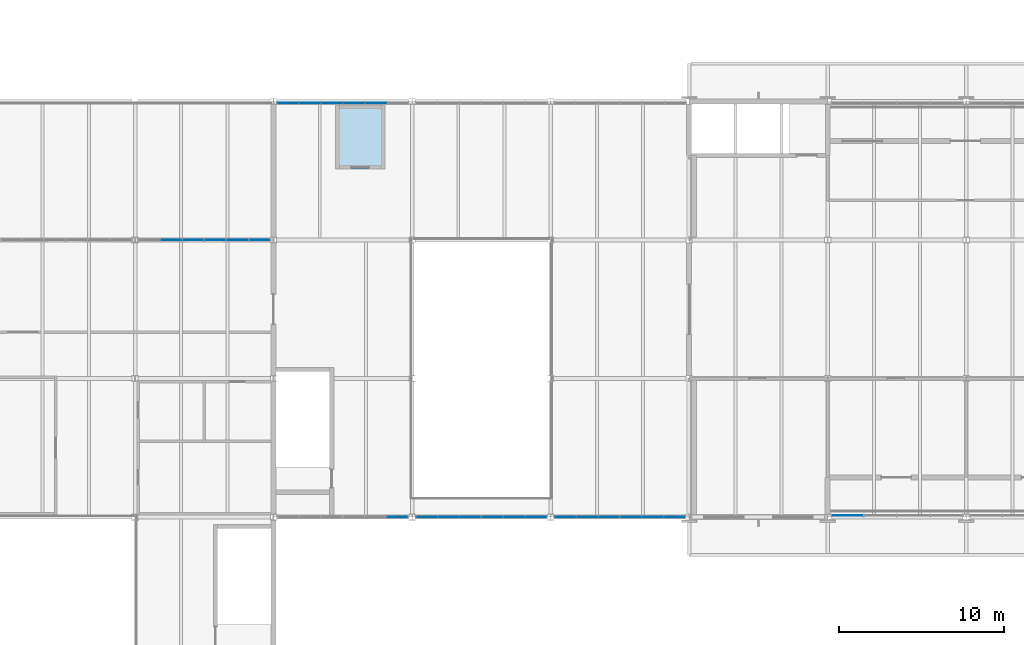
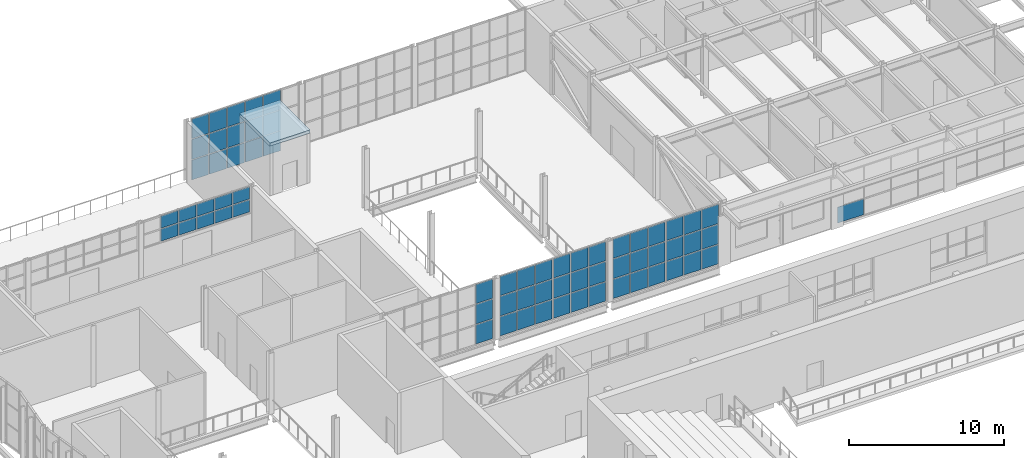
# One storey, part 62 of 116: 65 plates, 1 slab, 8 elements without a shape of their own.
"""IFC4 building model written with IfcOpenShell, lengths in metres."""

from ifc_helpers import new_model, si_unit, direction, frame, origin, origin_2d, place, context, subcontext, project, spatial, polyline, rectangle, outline, extrude, material, layer, layer_set, type_object, element, aggregate, save


model = new_model("IFC4")

# Units and contexts
model_context = context("Model", 3, precision=1e-05, world=origin(), true_north=direction((0.0, 1.0)))
body_context = subcontext(model_context, "Body", "Model", "MODEL_VIEW")
ifc_project = project(units=[si_unit("LENGTHUNIT", "METRE"), si_unit("AREAUNIT", "SQUARE_METRE"), si_unit("VOLUMEUNIT", "CUBIC_METRE"), si_unit("PLANEANGLEUNIT", "RADIAN"), si_unit("MASSUNIT", "GRAM", prefix="KILO")], contexts=[model_context])

# Site, building, storey
site_placement = place(None, origin())
site = spatial("IfcSite", under=ifc_project, at=site_placement, CompositionType="ELEMENT")
building_placement = place(site_placement, origin())
building = spatial("IfcBuilding", under=site, at=building_placement, Name="Ljudholm Concert House", CompositionType="ELEMENT")
storey_placement = place(building_placement, frame((0.0, 0.0, 10.199951171875)))
storey = spatial("IfcBuildingStorey", under=building, at=storey_placement, Name="L02", CompositionType="ELEMENT", Elevation=10.199951171875)

# Curtain wall, plates
ifc_material_1 = material(Name="Aluminium curtain wall with impact-rated laminated glass", Category="aluminium")
curtain_wall_type_1 = type_object("IfcCurtainWallType", Name="CURTAIN WALL 1400", PredefinedType="NOTDEFINED", material=ifc_material_1)
curtain_wall_1_placement = place(storey_placement, origin())
curtain_wall_1 = element("IfcCurtainWall", 1, at=curtain_wall_1_placement, inside=storey, type_object=curtain_wall_type_1, Name="Terrace curtain wall", PredefinedType="NOTDEFINED")
ifc_material_2 = material(Name="Impact-rated laminated glass", Category="glass")
ifc_layer_1 = layer(ifc_material_2, 0.028076171875)
ifc_layer_set_1 = layer_set([ifc_layer_1], Name="Impact-rated laminated glass")
plate_type_1 = type_object("IfcPlateType", Name="CURTAIN PANEL 28", PredefinedType="CURTAIN_PANEL", material=ifc_layer_set_1)
plate_1_placement = place(storey_placement, frame((22.989013671875, 121.60009765625, 2.760009765625), z_axis=(0.0, 0.0, 1.0), x_axis=(1.0, 0.0, 0.0)))
plate_1 = element("IfcPlate", 2, at=plate_1_placement, type_object=plate_type_1, Name="Curtain wall panel", PredefinedType="CURTAIN_PANEL", context=body_context, shape_type="SweptSolid", body=[
    extrude(rectangle(XDim=1.28076171875, YDim=0.028076171875, at=origin_2d()), origin(), (0.0, 0.0, 1.0), 0.9599609375),
])
plate_2_placement = place(storey_placement, frame((22.989013671875, 121.60009765625, 3.780029296875), z_axis=(0.0, 0.0, 1.0), x_axis=(1.0, 0.0, 0.0)))
plate_2 = element("IfcPlate", 3, at=plate_2_placement, type_object=plate_type_1, Name="Curtain wall panel", PredefinedType="CURTAIN_PANEL", context=body_context, shape_type="SweptSolid", body=[
    extrude(rectangle(XDim=1.28076171875, YDim=0.028076171875, at=origin_2d()), origin(), (0.0, 0.0, 1.0), 0.9599609375),
])
plate_3_placement = place(storey_placement, frame((24.32958984375, 121.60009765625, 2.760009765625), z_axis=(0.0, 0.0, 1.0), x_axis=(1.0, 0.0, 0.0)))
plate_3 = element("IfcPlate", 4, at=plate_3_placement, type_object=plate_type_1, Name="Curtain wall panel", PredefinedType="CURTAIN_PANEL", context=body_context, shape_type="SweptSolid", body=[
    extrude(rectangle(XDim=1.28076171875, YDim=0.028076171875, at=origin_2d()), origin(), (0.0, 0.0, 1.0), 0.9599609375),
])
plate_4_placement = place(storey_placement, frame((24.32958984375, 121.60009765625, 3.780029296875), z_axis=(0.0, 0.0, 1.0), x_axis=(1.0, 0.0, 0.0)))
plate_4 = element("IfcPlate", 5, at=plate_4_placement, type_object=plate_type_1, Name="Curtain wall panel", PredefinedType="CURTAIN_PANEL", context=body_context, shape_type="SweptSolid", body=[
    extrude(rectangle(XDim=1.28076171875, YDim=0.028076171875, at=origin_2d()), origin(), (0.0, 0.0, 1.0), 0.9599609375),
])
plate_5_placement = place(storey_placement, frame((25.67041015625, 121.60009765625, 2.760009765625), z_axis=(0.0, 0.0, 1.0), x_axis=(1.0, 0.0, 0.0)))
plate_5 = element("IfcPlate", 6, at=plate_5_placement, type_object=plate_type_1, Name="Curtain wall panel", PredefinedType="CURTAIN_PANEL", context=body_context, shape_type="SweptSolid", body=[
    extrude(rectangle(XDim=1.28076171875, YDim=0.028076171875, at=origin_2d()), origin(), (0.0, 0.0, 1.0), 0.9599609375),
])
plate_6_placement = place(storey_placement, frame((25.67041015625, 121.60009765625, 3.780029296875), z_axis=(0.0, 0.0, 1.0), x_axis=(1.0, 0.0, 0.0)))
plate_6 = element("IfcPlate", 7, at=plate_6_placement, type_object=plate_type_1, Name="Curtain wall panel", PredefinedType="CURTAIN_PANEL", context=body_context, shape_type="SweptSolid", body=[
    extrude(rectangle(XDim=1.28076171875, YDim=0.028076171875, at=origin_2d()), origin(), (0.0, 0.0, 1.0), 0.9599609375),
])
plate_7_placement = place(storey_placement, frame((27.010986328125, 121.60009765625, 2.760009765625), z_axis=(0.0, 0.0, 1.0), x_axis=(1.0, 0.0, 0.0)))
plate_7 = element("IfcPlate", 8, at=plate_7_placement, type_object=plate_type_1, Name="Curtain wall panel", PredefinedType="CURTAIN_PANEL", context=body_context, shape_type="SweptSolid", body=[
    extrude(rectangle(XDim=1.28076171875, YDim=0.028076171875, at=origin_2d()), origin(), (0.0, 0.0, 1.0), 0.9599609375),
])
plate_8_placement = place(storey_placement, frame((27.010986328125, 121.60009765625, 3.780029296875), z_axis=(0.0, 0.0, 1.0), x_axis=(1.0, 0.0, 0.0)))
plate_8 = element("IfcPlate", 9, at=plate_8_placement, type_object=plate_type_1, Name="Curtain wall panel", PredefinedType="CURTAIN_PANEL", context=body_context, shape_type="SweptSolid", body=[
    extrude(rectangle(XDim=1.28076171875, YDim=0.028076171875, at=origin_2d()), origin(), (0.0, 0.0, 1.0), 0.9599609375),
])
plate_9_placement = place(storey_placement, frame((28.3369140625, 121.60009765625, 2.760009765625), z_axis=(0.0, 0.0, 1.0), x_axis=(1.0, 0.0, 0.0)))
plate_9 = element("IfcPlate", 10, at=plate_9_placement, type_object=plate_type_1, Name="Curtain wall panel", PredefinedType="CURTAIN_PANEL", context=body_context, shape_type="SweptSolid", body=[
    extrude(rectangle(XDim=1.250732421875, YDim=0.028076171875, at=origin_2d()), origin(), (0.0, 0.0, 1.0), 0.9599609375),
])
plate_10_placement = place(storey_placement, frame((28.3369140625, 121.60009765625, 3.780029296875), z_axis=(0.0, 0.0, 1.0), x_axis=(1.0, 0.0, 0.0)))
plate_10 = element("IfcPlate", 11, at=plate_10_placement, type_object=plate_type_1, Name="Curtain wall panel", PredefinedType="CURTAIN_PANEL", context=body_context, shape_type="SweptSolid", body=[
    extrude(rectangle(XDim=1.250732421875, YDim=0.028076171875, at=origin_2d()), origin(), (0.0, 0.0, 1.0), 0.9599609375),
])
aggregate(curtain_wall_1, [plate_1, plate_2, plate_3, plate_4, plate_5, plate_6, plate_7, plate_8, plate_9, plate_10])

curtain_wall_2_placement = place(storey_placement, origin())
curtain_wall_2 = element("IfcCurtainWall", 12, at=curtain_wall_2_placement, inside=storey, type_object=curtain_wall_type_1, Name="North curtain wall", PredefinedType="NOTDEFINED")
plate_11_placement = place(storey_placement, frame((30.0732421875, 129.89990234375, 0.06005859375), z_axis=(0.0, 0.0, 1.0), x_axis=(1.0, 0.0, 0.0)))
plate_11 = element("IfcPlate", 13, at=plate_11_placement, type_object=plate_type_1, Name="Curtain wall panel", PredefinedType="CURTAIN_PANEL", context=body_context, shape_type="SweptSolid", body=[
    extrude(rectangle(XDim=1.24658203125, YDim=0.028076171875, at=origin_2d()), origin(), (0.0, 0.0, 1.0), 1.547119140625),
])
plate_12_placement = place(storey_placement, frame((30.0732421875, 129.89990234375, 1.6669921875), z_axis=(0.0, 0.0, 1.0), x_axis=(1.0, 0.0, 0.0)))
plate_12 = element("IfcPlate", 14, at=plate_12_placement, type_object=plate_type_1, Name="Curtain wall panel", PredefinedType="CURTAIN_PANEL", context=body_context, shape_type="SweptSolid", body=[
    extrude(rectangle(XDim=1.24658203125, YDim=0.028076171875, at=origin_2d()), origin(), (0.0, 0.0, 1.0), 1.5771484375),
])
plate_13_placement = place(storey_placement, frame((30.0732421875, 129.89990234375, 3.30419921875), z_axis=(0.0, 0.0, 1.0), x_axis=(1.0, 0.0, 0.0)))
plate_13 = element("IfcPlate", 15, at=plate_13_placement, type_object=plate_type_1, Name="Curtain wall panel", PredefinedType="CURTAIN_PANEL", context=body_context, shape_type="SweptSolid", body=[
    extrude(rectangle(XDim=1.24658203125, YDim=0.028076171875, at=origin_2d()), origin(), (0.0, 0.0, 1.0), 1.547119140625),
])
plate_14_placement = place(storey_placement, frame((31.39501953125, 129.89990234375, 0.06005859375), z_axis=(0.0, 0.0, 1.0), x_axis=(1.0, 0.0, 0.0)))
plate_14 = element("IfcPlate", 16, at=plate_14_placement, type_object=plate_type_1, Name="Curtain wall panel", PredefinedType="CURTAIN_PANEL", context=body_context, shape_type="SweptSolid", body=[
    extrude(rectangle(XDim=1.276611328125, YDim=0.028076171875, at=origin_2d()), origin(), (0.0, 0.0, 1.0), 1.547119140625),
])
plate_15_placement = place(storey_placement, frame((31.39501953125, 129.89990234375, 1.6669921875), z_axis=(0.0, 0.0, 1.0), x_axis=(1.0, 0.0, 0.0)))
plate_15 = element("IfcPlate", 17, at=plate_15_placement, type_object=plate_type_1, Name="Curtain wall panel", PredefinedType="CURTAIN_PANEL", context=body_context, shape_type="SweptSolid", body=[
    extrude(rectangle(XDim=1.276611328125, YDim=0.028076171875, at=origin_2d()), origin(), (0.0, 0.0, 1.0), 1.5771484375),
])
plate_16_placement = place(storey_placement, frame((31.39501953125, 129.89990234375, 3.30419921875), z_axis=(0.0, 0.0, 1.0), x_axis=(1.0, 0.0, 0.0)))
plate_16 = element("IfcPlate", 18, at=plate_16_placement, type_object=plate_type_1, Name="Curtain wall panel", PredefinedType="CURTAIN_PANEL", context=body_context, shape_type="SweptSolid", body=[
    extrude(rectangle(XDim=1.276611328125, YDim=0.028076171875, at=origin_2d()), origin(), (0.0, 0.0, 1.0), 1.547119140625),
])
plate_17_placement = place(storey_placement, frame((32.731689453125, 129.89990234375, 0.06005859375), z_axis=(0.0, 0.0, 1.0), x_axis=(1.0, 0.0, 0.0)))
plate_17 = element("IfcPlate", 19, at=plate_17_placement, type_object=plate_type_1, Name="Curtain wall panel", PredefinedType="CURTAIN_PANEL", context=body_context, shape_type="SweptSolid", body=[
    extrude(rectangle(XDim=1.276611328125, YDim=0.028076171875, at=origin_2d()), origin(), (0.0, 0.0, 1.0), 1.547119140625),
])
plate_18_placement = place(storey_placement, frame((32.731689453125, 129.89990234375, 1.6669921875), z_axis=(0.0, 0.0, 1.0), x_axis=(1.0, 0.0, 0.0)))
plate_18 = element("IfcPlate", 20, at=plate_18_placement, type_object=plate_type_1, Name="Curtain wall panel", PredefinedType="CURTAIN_PANEL", context=body_context, shape_type="SweptSolid", body=[
    extrude(rectangle(XDim=1.276611328125, YDim=0.028076171875, at=origin_2d()), origin(), (0.0, 0.0, 1.0), 1.5771484375),
])
plate_19_placement = place(storey_placement, frame((32.731689453125, 129.89990234375, 3.30419921875), z_axis=(0.0, 0.0, 1.0), x_axis=(1.0, 0.0, 0.0)))
plate_19 = element("IfcPlate", 21, at=plate_19_placement, type_object=plate_type_1, Name="Curtain wall panel", PredefinedType="CURTAIN_PANEL", context=body_context, shape_type="SweptSolid", body=[
    extrude(rectangle(XDim=1.276611328125, YDim=0.028076171875, at=origin_2d()), origin(), (0.0, 0.0, 1.0), 1.547119140625),
])
plate_20_placement = place(storey_placement, frame((34.068359375, 129.89990234375, 0.06005859375), z_axis=(0.0, 0.0, 1.0), x_axis=(1.0, 0.0, 0.0)))
plate_20 = element("IfcPlate", 22, at=plate_20_placement, type_object=plate_type_1, Name="Curtain wall panel", PredefinedType="CURTAIN_PANEL", context=body_context, shape_type="SweptSolid", body=[
    extrude(rectangle(XDim=1.276611328125, YDim=0.028076171875, at=origin_2d()), origin(), (0.0, 0.0, 1.0), 1.547119140625),
])
plate_21_placement = place(storey_placement, frame((34.068359375, 129.89990234375, 1.6669921875), z_axis=(0.0, 0.0, 1.0), x_axis=(1.0, 0.0, 0.0)))
plate_21 = element("IfcPlate", 23, at=plate_21_placement, type_object=plate_type_1, Name="Curtain wall panel", PredefinedType="CURTAIN_PANEL", context=body_context, shape_type="SweptSolid", body=[
    extrude(rectangle(XDim=1.276611328125, YDim=0.028076171875, at=origin_2d()), origin(), (0.0, 0.0, 1.0), 1.5771484375),
])
plate_22_placement = place(storey_placement, frame((34.068359375, 129.89990234375, 3.30419921875), z_axis=(0.0, 0.0, 1.0), x_axis=(1.0, 0.0, 0.0)))
plate_22 = element("IfcPlate", 24, at=plate_22_placement, type_object=plate_type_1, Name="Curtain wall panel", PredefinedType="CURTAIN_PANEL", context=body_context, shape_type="SweptSolid", body=[
    extrude(rectangle(XDim=1.276611328125, YDim=0.028076171875, at=origin_2d()), origin(), (0.0, 0.0, 1.0), 1.547119140625),
])
plate_23_placement = place(storey_placement, frame((35.405029296875, 129.89990234375, 0.06005859375), z_axis=(0.0, 0.0, 1.0), x_axis=(1.0, 0.0, 0.0)))
plate_23 = element("IfcPlate", 25, at=plate_23_placement, type_object=plate_type_1, Name="Curtain wall panel", PredefinedType="CURTAIN_PANEL", context=body_context, shape_type="SweptSolid", body=[
    extrude(rectangle(XDim=1.276611328125, YDim=0.028076171875, at=origin_2d()), origin(), (0.0, 0.0, 1.0), 1.547119140625),
])
plate_24_placement = place(storey_placement, frame((35.405029296875, 129.89990234375, 1.6669921875), z_axis=(0.0, 0.0, 1.0), x_axis=(1.0, 0.0, 0.0)))
plate_24 = element("IfcPlate", 26, at=plate_24_placement, type_object=plate_type_1, Name="Curtain wall panel", PredefinedType="CURTAIN_PANEL", context=body_context, shape_type="SweptSolid", body=[
    extrude(rectangle(XDim=1.276611328125, YDim=0.028076171875, at=origin_2d()), origin(), (0.0, 0.0, 1.0), 1.5771484375),
])
plate_25_placement = place(storey_placement, frame((35.405029296875, 129.89990234375, 3.30419921875), z_axis=(0.0, 0.0, 1.0), x_axis=(1.0, 0.0, 0.0)))
plate_25 = element("IfcPlate", 27, at=plate_25_placement, type_object=plate_type_1, Name="Curtain wall panel", PredefinedType="CURTAIN_PANEL", context=body_context, shape_type="SweptSolid", body=[
    extrude(rectangle(XDim=1.276611328125, YDim=0.028076171875, at=origin_2d()), origin(), (0.0, 0.0, 1.0), 1.547119140625),
])
aggregate(curtain_wall_2, [plate_11, plate_12, plate_13, plate_14, plate_15, plate_16, plate_17, plate_18, plate_19, plate_20, plate_21, plate_22, plate_23, plate_24, plate_25])

curtain_wall_3_placement = place(storey_placement, origin())
curtain_wall_3 = element("IfcCurtainWall", 28, at=curtain_wall_3_placement, inside=storey, type_object=curtain_wall_type_1, Name="Winter garden curtain wall", PredefinedType="NOTDEFINED")
plate_26_placement = place(storey_placement, frame((36.70166015625, 104.800048828125, 0.06005859375), z_axis=(0.0, 0.0, 1.0), x_axis=(1.0, 0.0, 0.0)))
plate_26 = element("IfcPlate", 29, at=plate_26_placement, type_object=plate_type_1, Name="Curtain wall panel", PredefinedType="CURTAIN_PANEL", context=body_context, shape_type="SweptSolid", body=[
    extrude(rectangle(XDim=1.236572265625, YDim=0.028076171875, at=origin_2d()), origin(), (0.0, 0.0, 1.0), 1.510009765625),
])
plate_27_placement = place(storey_placement, frame((36.70166015625, 104.800048828125, 1.630126953125), z_axis=(0.0, 0.0, 1.0), x_axis=(1.0, 0.0, 0.0)))
plate_27 = element("IfcPlate", 30, at=plate_27_placement, type_object=plate_type_1, Name="Curtain wall panel", PredefinedType="CURTAIN_PANEL", context=body_context, shape_type="SweptSolid", body=[
    extrude(rectangle(XDim=1.236572265625, YDim=0.028076171875, at=origin_2d()), origin(), (0.0, 0.0, 1.0), 1.5400390625),
])
plate_28_placement = place(storey_placement, frame((36.70166015625, 104.800048828125, 3.22998046875), z_axis=(0.0, 0.0, 1.0), x_axis=(1.0, 0.0, 0.0)))
plate_28 = element("IfcPlate", 31, at=plate_28_placement, type_object=plate_type_1, Name="Curtain wall panel", PredefinedType="CURTAIN_PANEL", context=body_context, shape_type="SweptSolid", body=[
    extrude(rectangle(XDim=1.236572265625, YDim=0.028076171875, at=origin_2d()), origin(), (0.0, 0.0, 1.0), 1.510009765625),
])
aggregate(curtain_wall_3, [plate_26, plate_27, plate_28])

curtain_wall_4_placement = place(storey_placement, origin())
curtain_wall_4 = element("IfcCurtainWall", 32, at=curtain_wall_4_placement, inside=storey, type_object=curtain_wall_type_1, Name="Winter garden curtain wall", PredefinedType="NOTDEFINED")
plate_29_placement = place(storey_placement, frame((38.498291015625, 104.800048828125, 0.06005859375), z_axis=(0.0, 0.0, 1.0), x_axis=(1.0, 0.0, 0.0)))
plate_29 = element("IfcPlate", 33, at=plate_29_placement, type_object=plate_type_1, Name="Curtain wall panel", PredefinedType="CURTAIN_PANEL", context=body_context, shape_type="SweptSolid", body=[
    extrude(rectangle(XDim=1.236572265625, YDim=0.028076171875, at=origin_2d()), origin(), (0.0, 0.0, 1.0), 1.510009765625),
])
plate_30_placement = place(storey_placement, frame((38.498291015625, 104.800048828125, 1.630126953125), z_axis=(0.0, 0.0, 1.0), x_axis=(1.0, 0.0, 0.0)))
plate_30 = element("IfcPlate", 34, at=plate_30_placement, type_object=plate_type_1, Name="Curtain wall panel", PredefinedType="CURTAIN_PANEL", context=body_context, shape_type="SweptSolid", body=[
    extrude(rectangle(XDim=1.236572265625, YDim=0.028076171875, at=origin_2d()), origin(), (0.0, 0.0, 1.0), 1.5400390625),
])
plate_31_placement = place(storey_placement, frame((38.498291015625, 104.800048828125, 3.22998046875), z_axis=(0.0, 0.0, 1.0), x_axis=(1.0, 0.0, 0.0)))
plate_31 = element("IfcPlate", 35, at=plate_31_placement, type_object=plate_type_1, Name="Curtain wall panel", PredefinedType="CURTAIN_PANEL", context=body_context, shape_type="SweptSolid", body=[
    extrude(rectangle(XDim=1.236572265625, YDim=0.028076171875, at=origin_2d()), origin(), (0.0, 0.0, 1.0), 1.510009765625),
])
plate_32_placement = place(storey_placement, frame((39.81005859375, 104.800048828125, 0.06005859375), z_axis=(0.0, 0.0, 1.0), x_axis=(1.0, 0.0, 0.0)))
plate_32 = element("IfcPlate", 36, at=plate_32_placement, type_object=plate_type_1, Name="Curtain wall panel", PredefinedType="CURTAIN_PANEL", context=body_context, shape_type="SweptSolid", body=[
    extrude(rectangle(XDim=1.2666015625, YDim=0.028076171875, at=origin_2d()), origin(), (0.0, 0.0, 1.0), 1.510009765625),
])
plate_33_placement = place(storey_placement, frame((39.81005859375, 104.800048828125, 1.630126953125), z_axis=(0.0, 0.0, 1.0), x_axis=(1.0, 0.0, 0.0)))
plate_33 = element("IfcPlate", 37, at=plate_33_placement, type_object=plate_type_1, Name="Curtain wall panel", PredefinedType="CURTAIN_PANEL", context=body_context, shape_type="SweptSolid", body=[
    extrude(rectangle(XDim=1.2666015625, YDim=0.028076171875, at=origin_2d()), origin(), (0.0, 0.0, 1.0), 1.5400390625),
])
plate_34_placement = place(storey_placement, frame((39.81005859375, 104.800048828125, 3.22998046875), z_axis=(0.0, 0.0, 1.0), x_axis=(1.0, 0.0, 0.0)))
plate_34 = element("IfcPlate", 38, at=plate_34_placement, type_object=plate_type_1, Name="Curtain wall panel", PredefinedType="CURTAIN_PANEL", context=body_context, shape_type="SweptSolid", body=[
    extrude(rectangle(XDim=1.2666015625, YDim=0.028076171875, at=origin_2d()), origin(), (0.0, 0.0, 1.0), 1.510009765625),
])
plate_35_placement = place(storey_placement, frame((41.12158203125, 104.800048828125, 0.06005859375), z_axis=(0.0, 0.0, 1.0), x_axis=(1.0, 0.0, 0.0)))
plate_35 = element("IfcPlate", 39, at=plate_35_placement, type_object=plate_type_1, Name="Curtain wall panel", PredefinedType="CURTAIN_PANEL", context=body_context, shape_type="SweptSolid", body=[
    extrude(rectangle(XDim=1.236572265625, YDim=0.028076171875, at=origin_2d()), origin(), (0.0, 0.0, 1.0), 1.510009765625),
])
plate_36_placement = place(storey_placement, frame((41.12158203125, 104.800048828125, 1.630126953125), z_axis=(0.0, 0.0, 1.0), x_axis=(1.0, 0.0, 0.0)))
plate_36 = element("IfcPlate", 40, at=plate_36_placement, type_object=plate_type_1, Name="Curtain wall panel", PredefinedType="CURTAIN_PANEL", context=body_context, shape_type="SweptSolid", body=[
    extrude(rectangle(XDim=1.236572265625, YDim=0.028076171875, at=origin_2d()), origin(), (0.0, 0.0, 1.0), 1.5400390625),
])
plate_37_placement = place(storey_placement, frame((41.12158203125, 104.800048828125, 3.22998046875), z_axis=(0.0, 0.0, 1.0), x_axis=(1.0, 0.0, 0.0)))
plate_37 = element("IfcPlate", 41, at=plate_37_placement, type_object=plate_type_1, Name="Curtain wall panel", PredefinedType="CURTAIN_PANEL", context=body_context, shape_type="SweptSolid", body=[
    extrude(rectangle(XDim=1.236572265625, YDim=0.028076171875, at=origin_2d()), origin(), (0.0, 0.0, 1.0), 1.510009765625),
])
aggregate(curtain_wall_4, [plate_29, plate_30, plate_31, plate_32, plate_33, plate_34, plate_35, plate_36, plate_37])

curtain_wall_5_placement = place(storey_placement, origin())
curtain_wall_5 = element("IfcCurtainWall", 42, at=curtain_wall_5_placement, inside=storey, type_object=curtain_wall_type_1, Name="Winter garden curtain wall", PredefinedType="NOTDEFINED")
plate_38_placement = place(storey_placement, frame((42.478271484375, 104.800048828125, 0.06005859375), z_axis=(0.0, 0.0, 1.0), x_axis=(1.0, 0.0, 0.0)))
plate_38 = element("IfcPlate", 43, at=plate_38_placement, type_object=plate_type_1, Name="Curtain wall panel", PredefinedType="CURTAIN_PANEL", context=body_context, shape_type="SweptSolid", body=[
    extrude(rectangle(XDim=1.236572265625, YDim=0.028076171875, at=origin_2d()), origin(), (0.0, 0.0, 1.0), 1.510009765625),
])
plate_39_placement = place(storey_placement, frame((42.478271484375, 104.800048828125, 1.630126953125), z_axis=(0.0, 0.0, 1.0), x_axis=(1.0, 0.0, 0.0)))
plate_39 = element("IfcPlate", 44, at=plate_39_placement, type_object=plate_type_1, Name="Curtain wall panel", PredefinedType="CURTAIN_PANEL", context=body_context, shape_type="SweptSolid", body=[
    extrude(rectangle(XDim=1.236572265625, YDim=0.028076171875, at=origin_2d()), origin(), (0.0, 0.0, 1.0), 1.5400390625),
])
plate_40_placement = place(storey_placement, frame((42.478271484375, 104.800048828125, 3.22998046875), z_axis=(0.0, 0.0, 1.0), x_axis=(1.0, 0.0, 0.0)))
plate_40 = element("IfcPlate", 45, at=plate_40_placement, type_object=plate_type_1, Name="Curtain wall panel", PredefinedType="CURTAIN_PANEL", context=body_context, shape_type="SweptSolid", body=[
    extrude(rectangle(XDim=1.236572265625, YDim=0.028076171875, at=origin_2d()), origin(), (0.0, 0.0, 1.0), 1.510009765625),
])
plate_41_placement = place(storey_placement, frame((43.7900390625, 104.800048828125, 0.06005859375), z_axis=(0.0, 0.0, 1.0), x_axis=(1.0, 0.0, 0.0)))
plate_41 = element("IfcPlate", 46, at=plate_41_placement, type_object=plate_type_1, Name="Curtain wall panel", PredefinedType="CURTAIN_PANEL", context=body_context, shape_type="SweptSolid", body=[
    extrude(rectangle(XDim=1.2666015625, YDim=0.028076171875, at=origin_2d()), origin(), (0.0, 0.0, 1.0), 1.510009765625),
])
plate_42_placement = place(storey_placement, frame((43.7900390625, 104.800048828125, 1.630126953125), z_axis=(0.0, 0.0, 1.0), x_axis=(1.0, 0.0, 0.0)))
plate_42 = element("IfcPlate", 47, at=plate_42_placement, type_object=plate_type_1, Name="Curtain wall panel", PredefinedType="CURTAIN_PANEL", context=body_context, shape_type="SweptSolid", body=[
    extrude(rectangle(XDim=1.2666015625, YDim=0.028076171875, at=origin_2d()), origin(), (0.0, 0.0, 1.0), 1.5400390625),
])
plate_43_placement = place(storey_placement, frame((43.7900390625, 104.800048828125, 3.22998046875), z_axis=(0.0, 0.0, 1.0), x_axis=(1.0, 0.0, 0.0)))
plate_43 = element("IfcPlate", 48, at=plate_43_placement, type_object=plate_type_1, Name="Curtain wall panel", PredefinedType="CURTAIN_PANEL", context=body_context, shape_type="SweptSolid", body=[
    extrude(rectangle(XDim=1.2666015625, YDim=0.028076171875, at=origin_2d()), origin(), (0.0, 0.0, 1.0), 1.510009765625),
])
plate_44_placement = place(storey_placement, frame((45.1015625, 104.800048828125, 0.06005859375), z_axis=(0.0, 0.0, 1.0), x_axis=(1.0, 0.0, 0.0)))
plate_44 = element("IfcPlate", 49, at=plate_44_placement, type_object=plate_type_1, Name="Curtain wall panel", PredefinedType="CURTAIN_PANEL", context=body_context, shape_type="SweptSolid", body=[
    extrude(rectangle(XDim=1.236572265625, YDim=0.028076171875, at=origin_2d()), origin(), (0.0, 0.0, 1.0), 1.510009765625),
])
plate_45_placement = place(storey_placement, frame((45.1015625, 104.800048828125, 1.630126953125), z_axis=(0.0, 0.0, 1.0), x_axis=(1.0, 0.0, 0.0)))
plate_45 = element("IfcPlate", 50, at=plate_45_placement, type_object=plate_type_1, Name="Curtain wall panel", PredefinedType="CURTAIN_PANEL", context=body_context, shape_type="SweptSolid", body=[
    extrude(rectangle(XDim=1.236572265625, YDim=0.028076171875, at=origin_2d()), origin(), (0.0, 0.0, 1.0), 1.5400390625),
])
plate_46_placement = place(storey_placement, frame((45.1015625, 104.800048828125, 3.22998046875), z_axis=(0.0, 0.0, 1.0), x_axis=(1.0, 0.0, 0.0)))
plate_46 = element("IfcPlate", 51, at=plate_46_placement, type_object=plate_type_1, Name="Curtain wall panel", PredefinedType="CURTAIN_PANEL", context=body_context, shape_type="SweptSolid", body=[
    extrude(rectangle(XDim=1.236572265625, YDim=0.028076171875, at=origin_2d()), origin(), (0.0, 0.0, 1.0), 1.510009765625),
])
aggregate(curtain_wall_5, [plate_38, plate_39, plate_40, plate_41, plate_42, plate_43, plate_44, plate_45, plate_46])

curtain_wall_6_placement = place(storey_placement, origin())
curtain_wall_6 = element("IfcCurtainWall", 52, at=curtain_wall_6_placement, inside=storey, type_object=curtain_wall_type_1, Name="Winter garden curtain wall", PredefinedType="NOTDEFINED")
plate_47_placement = place(storey_placement, frame((46.8984375, 104.800048828125, 0.06005859375), z_axis=(0.0, 0.0, 1.0), x_axis=(1.0, 0.0, 0.0)))
plate_47 = element("IfcPlate", 53, at=plate_47_placement, type_object=plate_type_1, Name="Curtain wall panel", PredefinedType="CURTAIN_PANEL", context=body_context, shape_type="SweptSolid", body=[
    extrude(rectangle(XDim=1.236572265625, YDim=0.028076171875, at=origin_2d()), origin(), (0.0, 0.0, 1.0), 1.510009765625),
])
plate_48_placement = place(storey_placement, frame((46.8984375, 104.800048828125, 1.630126953125), z_axis=(0.0, 0.0, 1.0), x_axis=(1.0, 0.0, 0.0)))
plate_48 = element("IfcPlate", 54, at=plate_48_placement, type_object=plate_type_1, Name="Curtain wall panel", PredefinedType="CURTAIN_PANEL", context=body_context, shape_type="SweptSolid", body=[
    extrude(rectangle(XDim=1.236572265625, YDim=0.028076171875, at=origin_2d()), origin(), (0.0, 0.0, 1.0), 1.5400390625),
])
plate_49_placement = place(storey_placement, frame((46.8984375, 104.800048828125, 3.22998046875), z_axis=(0.0, 0.0, 1.0), x_axis=(1.0, 0.0, 0.0)))
plate_49 = element("IfcPlate", 55, at=plate_49_placement, type_object=plate_type_1, Name="Curtain wall panel", PredefinedType="CURTAIN_PANEL", context=body_context, shape_type="SweptSolid", body=[
    extrude(rectangle(XDim=1.236572265625, YDim=0.028076171875, at=origin_2d()), origin(), (0.0, 0.0, 1.0), 1.510009765625),
])
plate_50_placement = place(storey_placement, frame((48.2099609375, 104.800048828125, 0.06005859375), z_axis=(0.0, 0.0, 1.0), x_axis=(1.0, 0.0, 0.0)))
plate_50 = element("IfcPlate", 56, at=plate_50_placement, type_object=plate_type_1, Name="Curtain wall panel", PredefinedType="CURTAIN_PANEL", context=body_context, shape_type="SweptSolid", body=[
    extrude(rectangle(XDim=1.2666015625, YDim=0.028076171875, at=origin_2d()), origin(), (0.0, 0.0, 1.0), 1.510009765625),
])
plate_51_placement = place(storey_placement, frame((48.2099609375, 104.800048828125, 1.630126953125), z_axis=(0.0, 0.0, 1.0), x_axis=(1.0, 0.0, 0.0)))
plate_51 = element("IfcPlate", 57, at=plate_51_placement, type_object=plate_type_1, Name="Curtain wall panel", PredefinedType="CURTAIN_PANEL", context=body_context, shape_type="SweptSolid", body=[
    extrude(rectangle(XDim=1.2666015625, YDim=0.028076171875, at=origin_2d()), origin(), (0.0, 0.0, 1.0), 1.5400390625),
])
plate_52_placement = place(storey_placement, frame((48.2099609375, 104.800048828125, 3.22998046875), z_axis=(0.0, 0.0, 1.0), x_axis=(1.0, 0.0, 0.0)))
plate_52 = element("IfcPlate", 58, at=plate_52_placement, type_object=plate_type_1, Name="Curtain wall panel", PredefinedType="CURTAIN_PANEL", context=body_context, shape_type="SweptSolid", body=[
    extrude(rectangle(XDim=1.2666015625, YDim=0.028076171875, at=origin_2d()), origin(), (0.0, 0.0, 1.0), 1.510009765625),
])
plate_53_placement = place(storey_placement, frame((49.521728515625, 104.800048828125, 0.06005859375), z_axis=(0.0, 0.0, 1.0), x_axis=(1.0, 0.0, 0.0)))
plate_53 = element("IfcPlate", 59, at=plate_53_placement, type_object=plate_type_1, Name="Curtain wall panel", PredefinedType="CURTAIN_PANEL", context=body_context, shape_type="SweptSolid", body=[
    extrude(rectangle(XDim=1.236572265625, YDim=0.028076171875, at=origin_2d()), origin(), (0.0, 0.0, 1.0), 1.510009765625),
])
plate_54_placement = place(storey_placement, frame((49.521728515625, 104.800048828125, 1.630126953125), z_axis=(0.0, 0.0, 1.0), x_axis=(1.0, 0.0, 0.0)))
plate_54 = element("IfcPlate", 60, at=plate_54_placement, type_object=plate_type_1, Name="Curtain wall panel", PredefinedType="CURTAIN_PANEL", context=body_context, shape_type="SweptSolid", body=[
    extrude(rectangle(XDim=1.236572265625, YDim=0.028076171875, at=origin_2d()), origin(), (0.0, 0.0, 1.0), 1.5400390625),
])
plate_55_placement = place(storey_placement, frame((49.521728515625, 104.800048828125, 3.22998046875), z_axis=(0.0, 0.0, 1.0), x_axis=(1.0, 0.0, 0.0)))
plate_55 = element("IfcPlate", 61, at=plate_55_placement, type_object=plate_type_1, Name="Curtain wall panel", PredefinedType="CURTAIN_PANEL", context=body_context, shape_type="SweptSolid", body=[
    extrude(rectangle(XDim=1.236572265625, YDim=0.028076171875, at=origin_2d()), origin(), (0.0, 0.0, 1.0), 1.510009765625),
])
aggregate(curtain_wall_6, [plate_47, plate_48, plate_49, plate_50, plate_51, plate_52, plate_53, plate_54, plate_55])

curtain_wall_7_placement = place(storey_placement, origin())
curtain_wall_7 = element("IfcCurtainWall", 62, at=curtain_wall_7_placement, inside=storey, type_object=curtain_wall_type_1, Name="Winter garden curtain wall", PredefinedType="NOTDEFINED")
plate_56_placement = place(storey_placement, frame((50.87841796875, 104.800048828125, 0.06005859375), z_axis=(0.0, 0.0, 1.0), x_axis=(1.0, 0.0, 0.0)))
plate_56 = element("IfcPlate", 63, at=plate_56_placement, type_object=plate_type_1, Name="Curtain wall panel", PredefinedType="CURTAIN_PANEL", context=body_context, shape_type="SweptSolid", body=[
    extrude(rectangle(XDim=1.236572265625, YDim=0.028076171875, at=origin_2d()), origin(), (0.0, 0.0, 1.0), 1.510009765625),
])
plate_57_placement = place(storey_placement, frame((50.87841796875, 104.800048828125, 1.630126953125), z_axis=(0.0, 0.0, 1.0), x_axis=(1.0, 0.0, 0.0)))
plate_57 = element("IfcPlate", 64, at=plate_57_placement, type_object=plate_type_1, Name="Curtain wall panel", PredefinedType="CURTAIN_PANEL", context=body_context, shape_type="SweptSolid", body=[
    extrude(rectangle(XDim=1.236572265625, YDim=0.028076171875, at=origin_2d()), origin(), (0.0, 0.0, 1.0), 1.5400390625),
])
plate_58_placement = place(storey_placement, frame((50.87841796875, 104.800048828125, 3.22998046875), z_axis=(0.0, 0.0, 1.0), x_axis=(1.0, 0.0, 0.0)))
plate_58 = element("IfcPlate", 65, at=plate_58_placement, type_object=plate_type_1, Name="Curtain wall panel", PredefinedType="CURTAIN_PANEL", context=body_context, shape_type="SweptSolid", body=[
    extrude(rectangle(XDim=1.236572265625, YDim=0.028076171875, at=origin_2d()), origin(), (0.0, 0.0, 1.0), 1.510009765625),
])
plate_59_placement = place(storey_placement, frame((52.18994140625, 104.800048828125, 0.06005859375), z_axis=(0.0, 0.0, 1.0), x_axis=(1.0, 0.0, 0.0)))
plate_59 = element("IfcPlate", 66, at=plate_59_placement, type_object=plate_type_1, Name="Curtain wall panel", PredefinedType="CURTAIN_PANEL", context=body_context, shape_type="SweptSolid", body=[
    extrude(rectangle(XDim=1.2666015625, YDim=0.028076171875, at=origin_2d()), origin(), (0.0, 0.0, 1.0), 1.510009765625),
])
plate_60_placement = place(storey_placement, frame((52.18994140625, 104.800048828125, 1.630126953125), z_axis=(0.0, 0.0, 1.0), x_axis=(1.0, 0.0, 0.0)))
plate_60 = element("IfcPlate", 67, at=plate_60_placement, type_object=plate_type_1, Name="Curtain wall panel", PredefinedType="CURTAIN_PANEL", context=body_context, shape_type="SweptSolid", body=[
    extrude(rectangle(XDim=1.2666015625, YDim=0.028076171875, at=origin_2d()), origin(), (0.0, 0.0, 1.0), 1.5400390625),
])
plate_61_placement = place(storey_placement, frame((52.18994140625, 104.800048828125, 3.22998046875), z_axis=(0.0, 0.0, 1.0), x_axis=(1.0, 0.0, 0.0)))
plate_61 = element("IfcPlate", 68, at=plate_61_placement, type_object=plate_type_1, Name="Curtain wall panel", PredefinedType="CURTAIN_PANEL", context=body_context, shape_type="SweptSolid", body=[
    extrude(rectangle(XDim=1.2666015625, YDim=0.028076171875, at=origin_2d()), origin(), (0.0, 0.0, 1.0), 1.510009765625),
])
plate_62_placement = place(storey_placement, frame((53.501708984375, 104.800048828125, 0.06005859375), z_axis=(0.0, 0.0, 1.0), x_axis=(1.0, 0.0, 0.0)))
plate_62 = element("IfcPlate", 69, at=plate_62_placement, type_object=plate_type_1, Name="Curtain wall panel", PredefinedType="CURTAIN_PANEL", context=body_context, shape_type="SweptSolid", body=[
    extrude(rectangle(XDim=1.236572265625, YDim=0.028076171875, at=origin_2d()), origin(), (0.0, 0.0, 1.0), 1.510009765625),
])
plate_63_placement = place(storey_placement, frame((53.501708984375, 104.800048828125, 1.630126953125), z_axis=(0.0, 0.0, 1.0), x_axis=(1.0, 0.0, 0.0)))
plate_63 = element("IfcPlate", 70, at=plate_63_placement, type_object=plate_type_1, Name="Curtain wall panel", PredefinedType="CURTAIN_PANEL", context=body_context, shape_type="SweptSolid", body=[
    extrude(rectangle(XDim=1.236572265625, YDim=0.028076171875, at=origin_2d()), origin(), (0.0, 0.0, 1.0), 1.5400390625),
])
plate_64_placement = place(storey_placement, frame((53.501708984375, 104.800048828125, 3.22998046875), z_axis=(0.0, 0.0, 1.0), x_axis=(1.0, 0.0, 0.0)))
plate_64 = element("IfcPlate", 71, at=plate_64_placement, type_object=plate_type_1, Name="Curtain wall panel", PredefinedType="CURTAIN_PANEL", context=body_context, shape_type="SweptSolid", body=[
    extrude(rectangle(XDim=1.236572265625, YDim=0.028076171875, at=origin_2d()), origin(), (0.0, 0.0, 1.0), 1.510009765625),
])
aggregate(curtain_wall_7, [plate_56, plate_57, plate_58, plate_59, plate_60, plate_61, plate_62, plate_63, plate_64])

# Curtain wall, plate
ifc_material_3 = material(Name="Aluminium curtain wall with fixed aluminium storm louvre blades, timber-grain finish", Category="aluminium")
curtain_wall_type_2 = type_object("IfcCurtainWallType", Name="CURTAIN WALL 2000", PredefinedType="NOTDEFINED", material=ifc_material_3)
curtain_wall_8_placement = place(storey_placement, origin())
curtain_wall_8 = element("IfcCurtainWall", 72, at=curtain_wall_8_placement, inside=storey, type_object=curtain_wall_type_2, Name="Storm louvre screen", PredefinedType="NOTDEFINED")
ifc_material_4 = material(Name="Fixed aluminium storm louvre blades, timber-grain finish", Category="aluminium")
ifc_layer_2 = layer(ifc_material_4, 0.030029296875)
ifc_layer_set_2 = layer_set([ifc_layer_2], Name="Fixed aluminium storm louvre blades, timber-grain finish")
plate_type_2 = type_object("IfcPlateType", Name="CURTAIN PANEL 30", PredefinedType="CURTAIN_PANEL", material=ifc_layer_set_2)
plate_65_placement = place(storey_placement, frame((64.007568359375, 104.89990234375, 0.06005859375), z_axis=(0.0, 0.0, 1.0), x_axis=(1.0, 0.0, 0.0)))
plate_65 = element("IfcPlate", 73, at=plate_65_placement, type_object=plate_type_2, Name="Curtain wall panel", PredefinedType="CURTAIN_PANEL", context=body_context, shape_type="SweptSolid", body=[
    extrude(rectangle(XDim=1.9150390625, YDim=0.030029296875, at=origin_2d()), origin(), (0.0, 0.0, 1.0), 1.245849609375),
])
aggregate(curtain_wall_8, [plate_65])

# Slab
ifc_material_5 = material(Name="Concrete 5,000 psi", Category="concrete")
ifc_layer_3 = layer(ifc_material_5, 0.25)
ifc_layer_set_3 = layer_set([ifc_layer_3], Name="Concrete 5,000 psi")
slab_type = type_object("IfcSlabType", Name="RC ROOF SLAB 250", PredefinedType="ROOF", material=ifc_layer_set_3)
slab_placement = place(storey_placement, frame((0.0, 0.0, 3.900146484375)))
element("IfcSlab", 74, at=slab_placement, inside=storey, type_object=slab_type, Name="Lift overrun roof slab", PredefinedType="ROOF", context=body_context, shape_type="SweptSolid", body=[
    extrude(outline(polyline([(32.949951171875, 125.89990234375), (35.949951171875, 125.89990234375), (35.949951171875, 129.800048828125), (32.949951171875, 129.800048828125), (32.949951171875, 125.89990234375)])), origin(), (0.0, 0.0, 1.0), 0.25),
])

save(model, "model.ifc")
